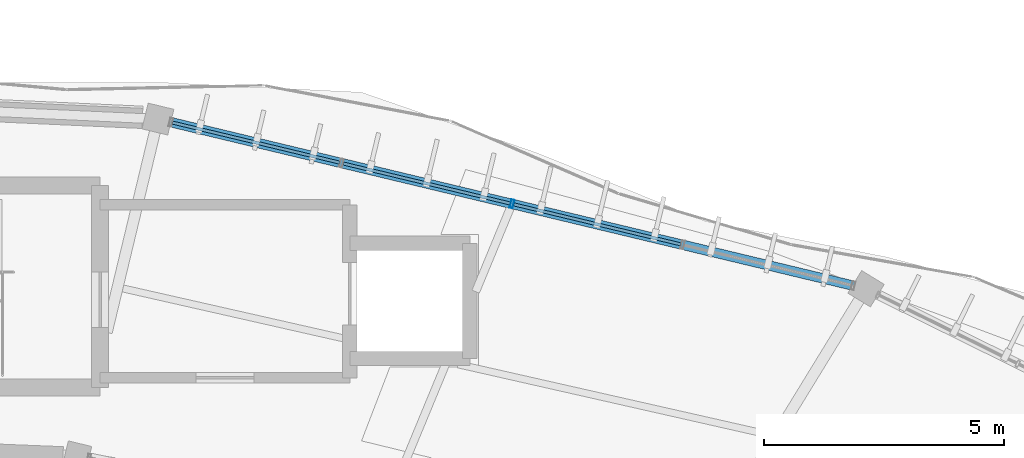
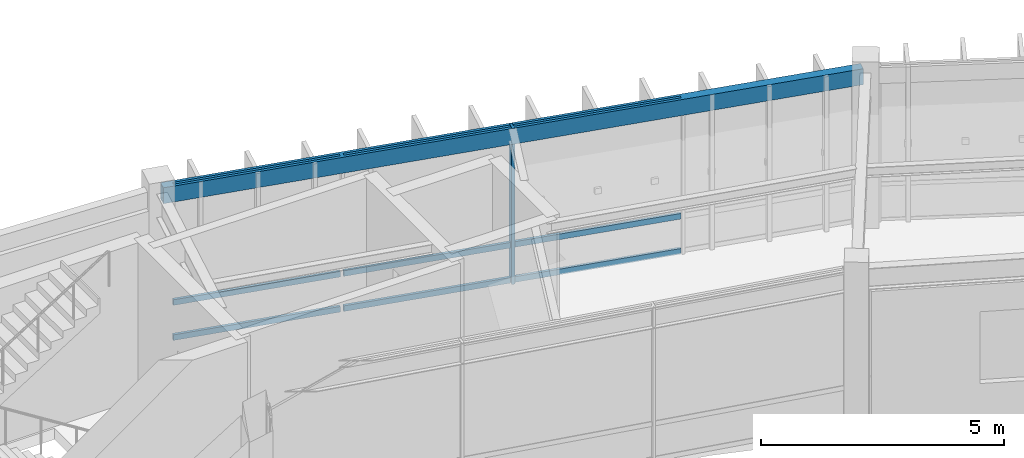
# One storey, part 59 of 79: 10 members, 1 beam, 1 element without a shape of its own.
"""IFC4 building model written with IfcOpenShell, lengths in metres."""

from ifc_helpers import new_model, si_unit, direction, frame, origin, origin_2d, place, context, subcontext, project, spatial, hollow_rectangle, extrude, material, material_profile, profile_set, type_object, element, aggregate, save


model = new_model("IFC4")

# Units and contexts
model_context = context("Model", 3, precision=1e-05, world=origin(), true_north=direction((0.0, 1.0)))
body_context = subcontext(model_context, "Body", "Model", "MODEL_VIEW")
ifc_project = project(units=[si_unit("LENGTHUNIT", "METRE"), si_unit("AREAUNIT", "SQUARE_METRE"), si_unit("VOLUMEUNIT", "CUBIC_METRE"), si_unit("PLANEANGLEUNIT", "RADIAN"), si_unit("MASSUNIT", "GRAM", prefix="KILO"), si_unit("THERMODYNAMICTEMPERATUREUNIT", "KELVIN"), si_unit("POWERUNIT", "WATT")], contexts=[model_context])

# Site, building, storey
site_placement = place(None, origin())
site = spatial("IfcSite", under=ifc_project, at=site_placement, CompositionType="ELEMENT")
building_placement = place(site_placement, origin())
building = spatial("IfcBuilding", under=site, at=building_placement, Name="Darbajah Civic Hall", CompositionType="ELEMENT")
storey_placement = place(building_placement, frame((0.0, 0.0, 22.199951171875)))
storey = spatial("IfcBuildingStorey", under=building, at=storey_placement, Name="L05", CompositionType="ELEMENT", Elevation=22.199951171875)

# Curtain wall, members
ifc_material_1 = material(Name="Anodised Bronze Aluminium and Low-E Glazing", Category="aluminium")
curtain_wall_type = type_object("IfcCurtainWallType", Name="Unitised Curtain Wall CW-64 14600x3900", PredefinedType="USERDEFINED", material=ifc_material_1)
curtain_wall_placement = place(storey_placement, origin())
curtain_wall = element("IfcCurtainWall", 1, at=curtain_wall_placement, inside=storey, type_object=curtain_wall_type, Name="L05 unitised curtain wall CW-V1O-L05-03", ObjectType="UNITISED CURTAIN WALL", PredefinedType="USERDEFINED")
ifc_material_2 = material(Name="Anodised Bronze Aluminium", Category="aluminium")
ifc_material_profile_1 = material_profile(ifc_material_2, hollow_rectangle(XDim=0.06494140625, YDim=0.179931640625, WallThickness=0.00390625, at=origin_2d()), Name="ALU MULLION 65x180")
ifc_profile_set_1 = profile_set([ifc_material_profile_1], Name="Anodised Bronze Aluminium")
member_type_1 = type_object("IfcMemberType", Name="ALU MULLION 65x180", PredefinedType="MULLION", material=ifc_profile_set_1)
member_1_placement = place(storey_placement, frame((108.37646484375, 116.718994140625, 0.0), z_axis=(0.0, 0.0, 1.0), x_axis=(-0.972492018808, 0.232936200179, 0.0)))
member_1 = element("IfcMember", 2, at=member_1_placement, type_object=member_type_1, Name="CW-V1O-L05-03 mullion 3", PredefinedType="MULLION", context=body_context, shape_type="SweptSolid", body=[
    extrude(hollow_rectangle(XDim=0.06494140625, YDim=0.179931640625, WallThickness=0.00390625, at=origin_2d()), origin(), (0.0, 0.0, 1.0), 3.920166015625),
])
ifc_material_profile_2 = material_profile(ifc_material_2, hollow_rectangle(XDim=0.06494140625, YDim=0.139892578125, WallThickness=0.00341796875, at=origin_2d()), Name="ALU TRANSOM 65x140")
ifc_profile_set_2 = profile_set([ifc_material_profile_2], Name="Anodised Bronze Aluminium")
member_type_2 = type_object("IfcMemberType", Name="ALU TRANSOM 65x140", PredefinedType="USERDEFINED", material=ifc_profile_set_2)
member_2_placement = place(storey_placement, frame((111.890869140625, 115.876953125, 0.070068359375), z_axis=(-0.972477083348, 0.232998545838, 0.0), x_axis=(-0.232998545838, -0.972477083348, 0.0)))
member_2 = element("IfcMember", 3, at=member_2_placement, type_object=member_type_2, Name="CW-V1O-L05-03 transom 2.1", ObjectType="TRANSOM", PredefinedType="USERDEFINED", context=body_context, shape_type="SweptSolid", body=[
    extrude(hollow_rectangle(XDim=0.06494140625, YDim=0.139892578125, WallThickness=0.00341796875, at=origin_2d()), origin(), (0.0, 0.0, 1.0), 3.576171875),
])
member_3_placement = place(storey_placement, frame((111.890869140625, 115.876953125, 0.949951171875), z_axis=(-0.972477083348, 0.232998545838, 0.0), x_axis=(-0.232998545838, -0.972477083348, 0.0)))
member_3 = element("IfcMember", 4, at=member_3_placement, type_object=member_type_2, Name="CW-V1O-L05-03 transom 2.2", ObjectType="TRANSOM", PredefinedType="USERDEFINED", context=body_context, shape_type="SweptSolid", body=[
    extrude(hollow_rectangle(XDim=0.06494140625, YDim=0.139892578125, WallThickness=0.00341796875, at=origin_2d()), origin(), (0.0, 0.0, 1.0), 3.576171875),
])
member_4_placement = place(storey_placement, frame((111.890869140625, 115.876953125, 3.85009765625), z_axis=(-0.972477083348, 0.232998545838, 0.0), x_axis=(-0.232998545838, -0.972477083348, 0.0)))
member_4 = element("IfcMember", 5, at=member_4_placement, type_object=member_type_2, Name="CW-V1O-L05-03 transom 2.3", ObjectType="TRANSOM", PredefinedType="USERDEFINED", context=body_context, shape_type="SweptSolid", body=[
    extrude(hollow_rectangle(XDim=0.06494140625, YDim=0.139892578125, WallThickness=0.00341796875, at=origin_2d()), origin(), (0.0, 0.0, 1.0), 3.576171875),
])
member_5_placement = place(storey_placement, frame((108.340087890625, 116.7275390625, 0.070068359375), z_axis=(-0.972477083348, 0.232998545838, 0.0), x_axis=(-0.232998545838, -0.972477083348, 0.0)))
member_5 = element("IfcMember", 6, at=member_5_placement, type_object=member_type_2, Name="CW-V1O-L05-03 transom 3.1", ObjectType="TRANSOM", PredefinedType="USERDEFINED", context=body_context, shape_type="SweptSolid", body=[
    extrude(hollow_rectangle(XDim=0.06494140625, YDim=0.139892578125, WallThickness=0.00341796875, at=origin_2d()), origin(), (0.0, 0.0, 1.0), 3.576171875),
])
member_6_placement = place(storey_placement, frame((108.340087890625, 116.7275390625, 0.949951171875), z_axis=(-0.972477083348, 0.232998545838, 0.0), x_axis=(-0.232998545838, -0.972477083348, 0.0)))
member_6 = element("IfcMember", 7, at=member_6_placement, type_object=member_type_2, Name="CW-V1O-L05-03 transom 3.2", ObjectType="TRANSOM", PredefinedType="USERDEFINED", context=body_context, shape_type="SweptSolid", body=[
    extrude(hollow_rectangle(XDim=0.06494140625, YDim=0.139892578125, WallThickness=0.00341796875, at=origin_2d()), origin(), (0.0, 0.0, 1.0), 3.576171875),
])
member_7_placement = place(storey_placement, frame((108.340087890625, 116.7275390625, 3.85009765625), z_axis=(-0.972477083348, 0.232998545838, 0.0), x_axis=(-0.232998545838, -0.972477083348, 0.0)))
member_7 = element("IfcMember", 8, at=member_7_placement, type_object=member_type_2, Name="CW-V1O-L05-03 transom 3.3", ObjectType="TRANSOM", PredefinedType="USERDEFINED", context=body_context, shape_type="SweptSolid", body=[
    extrude(hollow_rectangle(XDim=0.06494140625, YDim=0.139892578125, WallThickness=0.00341796875, at=origin_2d()), origin(), (0.0, 0.0, 1.0), 3.576171875),
])
member_8_placement = place(storey_placement, frame((104.789306640625, 117.578369140625, 0.070068359375), z_axis=(-0.972477083348, 0.232998545838, 0.0), x_axis=(-0.232998545838, -0.972477083348, 0.0)))
member_8 = element("IfcMember", 9, at=member_8_placement, type_object=member_type_2, Name="CW-V1O-L05-03 transom 4.1", ObjectType="TRANSOM", PredefinedType="USERDEFINED", context=body_context, shape_type="SweptSolid", body=[
    extrude(hollow_rectangle(XDim=0.06494140625, YDim=0.139892578125, WallThickness=0.00341796875, at=origin_2d()), origin(), (0.0, 0.0, 1.0), 3.576171875),
])
member_9_placement = place(storey_placement, frame((104.789306640625, 117.578369140625, 0.949951171875), z_axis=(-0.972477083348, 0.232998545838, 0.0), x_axis=(-0.232998545838, -0.972477083348, 0.0)))
member_9 = element("IfcMember", 10, at=member_9_placement, type_object=member_type_2, Name="CW-V1O-L05-03 transom 4.2", ObjectType="TRANSOM", PredefinedType="USERDEFINED", context=body_context, shape_type="SweptSolid", body=[
    extrude(hollow_rectangle(XDim=0.06494140625, YDim=0.139892578125, WallThickness=0.00341796875, at=origin_2d()), origin(), (0.0, 0.0, 1.0), 3.576171875),
])
member_10_placement = place(storey_placement, frame((104.789306640625, 117.578369140625, 3.85009765625), z_axis=(-0.972477083348, 0.232998545838, 0.0), x_axis=(-0.232998545838, -0.972477083348, 0.0)))
member_10 = element("IfcMember", 11, at=member_10_placement, type_object=member_type_2, Name="CW-V1O-L05-03 transom 4.3", ObjectType="TRANSOM", PredefinedType="USERDEFINED", context=body_context, shape_type="SweptSolid", body=[
    extrude(hollow_rectangle(XDim=0.06494140625, YDim=0.139892578125, WallThickness=0.00341796875, at=origin_2d()), origin(), (0.0, 0.0, 1.0), 3.576171875),
])
aggregate(curtain_wall, [member_1, member_2, member_3, member_4, member_5, member_6, member_7, member_8, member_9, member_10])

# Beam
ifc_material_3 = material(Name="Steel S355JR", Category="steel")
ifc_material_profile_3 = material_profile(ifc_material_3, hollow_rectangle(XDim=0.199951171875, YDim=0.39990234375, WallThickness=0.013916015625, at=origin_2d()), Name="RHS 400x200x14")
ifc_profile_set_3 = profile_set([ifc_material_profile_3], Name="Steel S355JR")
beam_type = type_object("IfcBeamType", Name="RHS 400x200x14", PredefinedType="SPANDREL", material=ifc_profile_set_3)
beam_placement = place(storey_placement, frame((115.669677734375, 114.971435546875, 3.719970703125), z_axis=(-0.972475144086, 0.233006639679, 0.0), x_axis=(-0.233006639679, -0.972475144086, 0.0)))
element("IfcBeam", 12, at=beam_placement, inside=storey, type_object=beam_type, Name="L05 beam SP-RHS400", PredefinedType="SPANDREL", context=body_context, shape_type="SweptSolid", body=[
    extrude(hollow_rectangle(XDim=0.199951171875, YDim=0.39990234375, WallThickness=0.013916015625, at=origin_2d()), origin(), (0.0, 0.0, 1.0), 14.9990234375),
])

save(model, "model.ifc")
